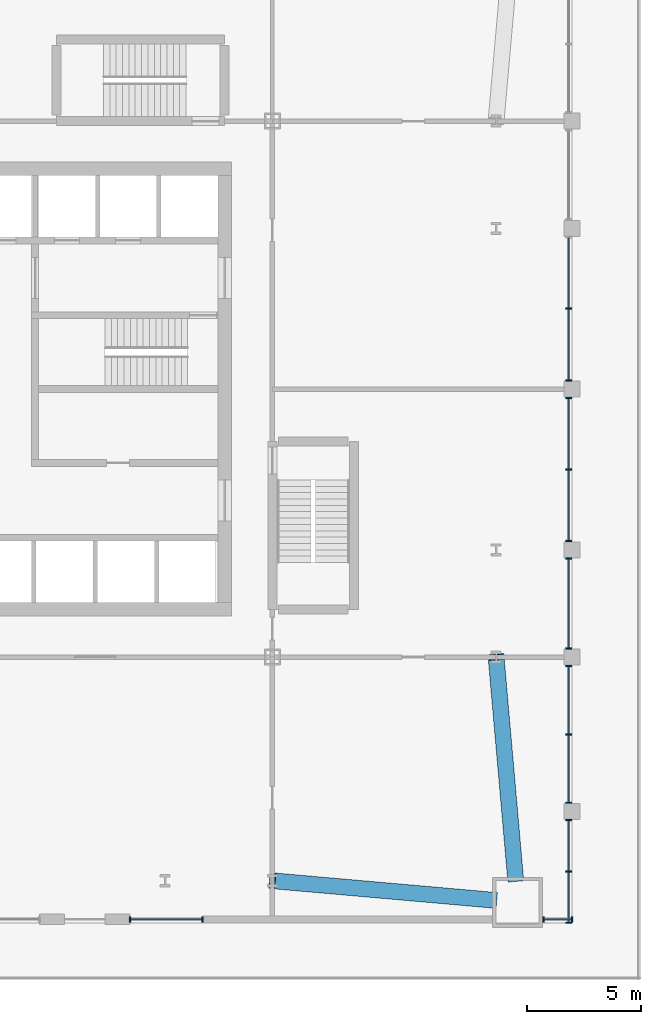
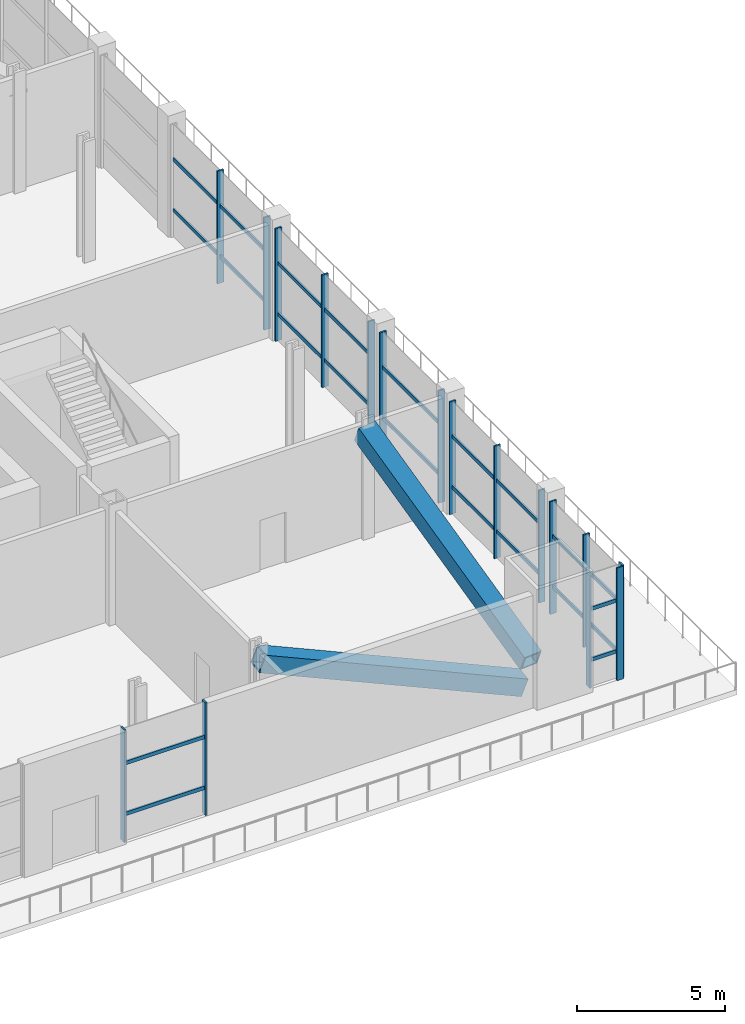
# One storey, part 3 of 12: 41 members, 7 elements without a shape of their own.
"""IFC4 building model written with IfcOpenShell, lengths in metres."""

import ifcopenshell
import ifcopenshell.guid

model = None  # the IFC model being written
_history = None  # IfcOwnerHistory: only IFC2X3 demands one
_inside = {}  # id of a spatial element -> (the spatial element, [elements in it])
_under = {}  # id of a project, library or spatial element -> (it, [spatial elements below it])
_declared = {}  # id of a project -> (the project, [libraries it declares])
_typed = {}  # id of a type object -> (the type object, [elements of that type])
_made_of = {}  # id of a material, layer set ... -> (it, [elements and type objects made of it])


def new_model(schema):
    """Start an empty IFC model of exactly this schema.

    Asked for "IFC4X3", IfcOpenShell would pick the latest addendum, in which some entities
    have other attributes; the version numbers below select the first issue.
    IFC2X3 requires an IfcOwnerHistory on every rooted entity: one is made here for all.
    """
    global model, _history
    if schema == "IFC4X3":
        model = ifcopenshell.file(schema_version=(4, 3, 0, 0))
    else:
        model = ifcopenshell.file(schema=schema)
    _inside.clear()
    _under.clear()
    _declared.clear()
    _typed.clear()
    _made_of.clear()
    _history = None
    if model.schema == "IFC2X3":
        org = make("IfcOrganization", Name="unknown")
        user = make(
            "IfcPersonAndOrganization",
            ThePerson=make("IfcPerson", FamilyName="unknown"),
            TheOrganization=org,
        )
        app = make(
            "IfcApplication",
            ApplicationDeveloper=org,
            Version="unknown",
            ApplicationFullName="unknown",
            ApplicationIdentifier="unknown",
        )
        _history = make(
            "IfcOwnerHistory",
            OwningUser=user,
            OwningApplication=app,
            ChangeAction="ADDED",
            CreationDate=0,
        )
    return model


def make(cls, **values):
    """One entity of the class cls with the attributes given. An attribute that is None is left unset."""
    return model.create_entity(
        cls, **{name: value for name, value in values.items() if value is not None}
    )


def rooted(cls, **values):
    """An entity with a GlobalId (a new one), such as an element, a storey or a relation."""
    return make(cls, GlobalId=ifcopenshell.guid.new(), OwnerHistory=_history, **values)


def si_unit(unit_type, name, prefix=None):
    """IfcSIUnit, for example si_unit("LENGTHUNIT", "METRE", prefix="MILLI")."""
    return make("IfcSIUnit", UnitType=unit_type, Prefix=prefix, Name=name)


def assignment(units):
    """IfcUnitAssignment: the units of a project."""
    return None if units is None else make("IfcUnitAssignment", Units=units)


def point(xyz):
    """IfcCartesianPoint."""
    return None if xyz is None else make("IfcCartesianPoint", Coordinates=xyz)


def direction(xyz):
    """IfcDirection."""
    return None if xyz is None else make("IfcDirection", DirectionRatios=xyz)


def frame(location, z_axis=None, x_axis=None):
    """IfcAxis2Placement3D, a coordinate frame: its origin and axes. An axis left out is left unset."""
    return make(
        "IfcAxis2Placement3D",
        Location=point(location),
        Axis=direction(z_axis),
        RefDirection=direction(x_axis),
    )


def frame_2d(location, x_axis=None):
    """IfcAxis2Placement2D, a coordinate frame in the plane: its origin and x axis."""
    return make(
        "IfcAxis2Placement2D", Location=point(location), RefDirection=direction(x_axis)
    )


def origin():
    """The frame at (0, 0, 0) with its axes left unset."""
    return frame((0.0, 0.0, 0.0))


def origin_2d():
    """The frame at (0, 0) in the plane with its x axis left unset."""
    return frame_2d((0.0, 0.0))


def place(relative_to, where):
    """IfcLocalPlacement: puts the frame where relative to a parent placement (None: the world)."""
    return make(
        "IfcLocalPlacement", PlacementRelTo=relative_to, RelativePlacement=where
    )


def context(
    kind, dimensions, precision=None, world=None, true_north=None, identifier=None
):
    """IfcGeometricRepresentationContext, for example the 3D "Model" context."""
    return make(
        "IfcGeometricRepresentationContext",
        ContextIdentifier=identifier,
        ContextType=kind,
        CoordinateSpaceDimension=dimensions,
        Precision=precision,
        WorldCoordinateSystem=world,
        TrueNorth=true_north,
    )


def subcontext(parent, identifier, kind, view, scale=None):
    """IfcGeometricRepresentationSubContext, for example "Body" below "Model"."""
    return make(
        "IfcGeometricRepresentationSubContext",
        ContextIdentifier=identifier,
        ContextType=kind,
        ParentContext=parent,
        TargetScale=scale,
        TargetView=view,
    )


def project(units=None, contexts=None):
    """IfcProject with its units and contexts."""
    return rooted(
        "IfcProject",
        Name="project",
        RepresentationContexts=contexts,
        UnitsInContext=assignment(units),
    )


def spatial(cls, under=None, at=None, **own):
    """A site, building, storey or space (cls), placed at a placement, below another one or the project."""
    s = rooted(cls, ObjectPlacement=at, **own)
    if under is not None:
        _under.setdefault(under.id(), (under, []))[1].append(s)
    return s


def profile(cls, at=None, kind="AREA", **sizes):
    """A parametric profile (cls). Its sizes go by their IFC names, for example OverallWidth=200.0."""
    return make(cls, ProfileType=kind, Position=at, **sizes)


def rectangle(**sizes):
    """IfcRectangleProfileDef."""
    return profile("IfcRectangleProfileDef", **sizes)


def hollow_rectangle(**sizes):
    """IfcRectangleHollowProfileDef."""
    return profile("IfcRectangleHollowProfileDef", **sizes)


def extrude(swept, where, along, depth):
    """IfcExtrudedAreaSolid: the profile swept, set in the frame where, extruded along a direction by depth."""
    return make(
        "IfcExtrudedAreaSolid",
        SweptArea=swept,
        Position=where,
        ExtrudedDirection=direction(along),
        Depth=depth,
    )


def shape(context_of_items, identifier, shape_type, items):
    """IfcShapeRepresentation: the items that make up one representation, for example the "Body"."""
    return make(
        "IfcShapeRepresentation",
        ContextOfItems=context_of_items,
        RepresentationIdentifier=identifier,
        RepresentationType=shape_type,
        Items=items,
    )


def material(Name=None, Category=None):
    """IfcMaterial."""
    return make("IfcMaterial", Name=Name, Category=Category)


def material_profile(
    of_material, cross_section, Name=None, Category=None, Priority=None
):
    """IfcMaterialProfile: a cross section and its material."""
    return make(
        "IfcMaterialProfile",
        Name=Name,
        Material=of_material,
        Profile=cross_section,
        Priority=Priority,
        Category=Category,
    )


def profile_set(profiles, Name=None, composite=None):
    """IfcMaterialProfileSet."""
    return make(
        "IfcMaterialProfileSet",
        Name=Name,
        MaterialProfiles=profiles,
        CompositeProfile=composite,
    )


def made_of(thing, what):
    """Note that an element or type object is made of a material, layer set ...; save() writes the relation."""
    if what is not None:
        _made_of.setdefault(what.id(), (what, []))[1].append(thing)
    return thing


def type_object(cls, material=None, **own):
    """A type object (cls), such as IfcWallType, which elements share."""
    return made_of(rooted(cls, **own), material)


def element(
    cls,
    number,
    at=None,
    inside=None,
    cuts=None,
    type_object=None,
    material=None,
    context=None,
    identifier="Body",
    shape_type=None,
    held_by="IfcProductDefinitionShape",
    body=None,
    shapes=None,
    **own,
):
    """One element of the class cls, such as IfcWall. Its Tag is "e" and its number.

    at: its placement. inside: the storey or other place that contains it. cuts: it is an
    opening in that element (IfcRelVoidsElement). A single representation is given by context,
    identifier, shape_type and body (its items); several are given by shapes. held_by: the class
    of the entity that holds the representations. save() writes the other relations.
    """
    e = rooted(cls, Tag="e%d" % number, ObjectPlacement=at, **own)
    if body is not None:
        shapes = [shape(context, identifier, shape_type, body)]
    if shapes is not None:
        e.Representation = make(held_by, Representations=shapes)
    if inside is not None:
        _inside.setdefault(inside.id(), (inside, []))[1].append(e)
    if cuts is not None:
        rooted(
            "IfcRelVoidsElement", RelatingBuildingElement=cuts, RelatedOpeningElement=e
        )
    if type_object is not None:
        _typed.setdefault(type_object.id(), (type_object, []))[1].append(e)
    return made_of(e, material)


def aggregate(whole, parts):
    """IfcRelAggregates: a whole, such as a stair, and the parts it consists of."""
    return rooted("IfcRelAggregates", RelatingObject=whole, RelatedObjects=parts)


def save(model, path):
    """Write the relations noted so far, then the file.

    IfcRelAggregates (storeys below a building ...), IfcRelContainedInSpatialStructure (elements
    in a storey), IfcRelDefinesByType, IfcRelAssociatesMaterial and IfcRelDeclares: one each for
    every whole, place, type object, material and project.
    """
    for whole, parts in _under.values():
        aggregate(whole, parts)
    for where, things in _inside.values():
        rooted(
            "IfcRelContainedInSpatialStructure",
            RelatedElements=things,
            RelatingStructure=where,
        )
    for kind, things in _typed.values():
        rooted("IfcRelDefinesByType", RelatedObjects=things, RelatingType=kind)
    for what, things in _made_of.values():
        rooted("IfcRelAssociatesMaterial", RelatedObjects=things, RelatingMaterial=what)
    for by, libraries in _declared.values():
        rooted("IfcRelDeclares", RelatingContext=by, RelatedDefinitions=libraries)
    model.write(path)


model = new_model("IFC4")

# Units and contexts
model_context = context("Model", 3, precision=1e-05, world=origin(), true_north=direction((0.0, 1.0)))
body_context = subcontext(model_context, "Body", "Model", "MODEL_VIEW")
ifc_project = project(units=[si_unit("LENGTHUNIT", "METRE"), si_unit("AREAUNIT", "SQUARE_METRE"), si_unit("VOLUMEUNIT", "CUBIC_METRE"), si_unit("PLANEANGLEUNIT", "RADIAN"), si_unit("MASSUNIT", "GRAM", prefix="KILO")], contexts=[model_context])

# Site, building, storey
site_placement = place(None, origin())
site = spatial("IfcSite", under=ifc_project, at=site_placement, CompositionType="ELEMENT")
building_placement = place(site_placement, origin())
building = spatial("IfcBuilding", under=site, at=building_placement, Name="Turquesa Mirador Hotel Tower", CompositionType="ELEMENT")
storey_placement = place(building_placement, frame((0.0, 0.0, 11.0)))
storey = spatial("IfcBuildingStorey", under=building, at=storey_placement, Name="L02", CompositionType="ELEMENT", Elevation=11.0)

# Curtain wall, members
ifc_material_1 = material(Name="Aluminium extrusion", Category="aluminium")
curtain_wall_type = type_object("IfcCurtainWallType", Name="CW-2 PODIUM CURTAIN WALL", PredefinedType="USERDEFINED", material=ifc_material_1)
curtain_wall_1_placement = place(storey_placement, origin())
curtain_wall_1 = element("IfcCurtainWall", 1, at=curtain_wall_1_placement, inside=storey, type_object=curtain_wall_type, Name="CW-2 PODIUM CURTAIN WALL L02", ObjectType="CURTAIN WALL", PredefinedType="USERDEFINED")
ifc_material_2 = material(Name="Aluminium extrusion", Category="aluminium")
ifc_material_profile_1 = material_profile(ifc_material_2, rectangle(XDim=0.06494140625, YDim=0.25, at=origin_2d()), Name="MULLION 65X250")
ifc_profile_set_1 = profile_set([ifc_material_profile_1], Name="Aluminium extrusion")
member_type_1 = type_object("IfcMemberType", Name="CW MULLION 65X250", PredefinedType="MULLION", material=ifc_profile_set_1)
member_1_placement = place(storey_placement, frame((60.5400390625, 21.64990234375, 0.0), z_axis=(0.0, 0.0, 1.0), x_axis=(1.0, 0.0, 0.0)))
member_1 = element("IfcMember", 2, at=member_1_placement, type_object=member_type_1, Name="Mullion", PredefinedType="MULLION", context=body_context, shape_type="SweptSolid", body=[
    extrude(rectangle(XDim=0.06494140625, YDim=0.25, at=origin_2d()), origin(), (0.0, 0.0, 1.0), 4.64990234375),
])
member_2_placement = place(storey_placement, frame((63.72509765625, 21.64990234375, 0.0), z_axis=(0.0, 0.0, 1.0), x_axis=(1.0, 0.0, 0.0)))
member_2 = element("IfcMember", 3, at=member_2_placement, type_object=member_type_1, Name="Mullion", PredefinedType="MULLION", context=body_context, shape_type="SweptSolid", body=[
    extrude(rectangle(XDim=0.06494140625, YDim=0.25, at=origin_2d()), origin(), (0.0, 0.0, 1.0), 4.64990234375),
])

curtain_wall_2_placement = place(storey_placement, origin())
curtain_wall_2 = element("IfcCurtainWall", 4, at=curtain_wall_2_placement, inside=storey, type_object=curtain_wall_type, Name="CW-2 PODIUM CURTAIN WALL L02", ObjectType="CURTAIN WALL", PredefinedType="USERDEFINED")
member_3_placement = place(storey_placement, frame((78.734619140625, 21.64990234375, 0.0), z_axis=(0.0, 0.0, 1.0), x_axis=(1.0, 0.0, 0.0)))
member_3 = element("IfcMember", 5, at=member_3_placement, type_object=member_type_1, Name="Mullion", PredefinedType="MULLION", context=body_context, shape_type="SweptSolid", body=[
    extrude(rectangle(XDim=0.06494140625, YDim=0.25, at=origin_2d()), origin(), (0.0, 0.0, 1.0), 4.64990234375),
])
member_4_placement = place(storey_placement, frame((80.0, 21.64990234375, 0.0), z_axis=(0.0, 0.0, 1.0), x_axis=(1.0, 0.0, 0.0)))
member_4 = element("IfcMember", 6, at=member_4_placement, type_object=member_type_1, Name="Mullion", PredefinedType="MULLION", context=body_context, shape_type="SweptSolid", body=[
    extrude(rectangle(XDim=0.06494140625, YDim=0.25, at=origin_2d()), origin(), (0.0, 0.0, 1.0), 4.64990234375),
])

curtain_wall_3_placement = place(storey_placement, origin())
curtain_wall_3 = element("IfcCurtainWall", 7, at=curtain_wall_3_placement, inside=storey, type_object=curtain_wall_type, Name="CW-2 PODIUM CURTAIN WALL L02", ObjectType="CURTAIN WALL", PredefinedType="USERDEFINED")
member_5_placement = place(storey_placement, frame((79.85009765625, 21.5, 0.0), z_axis=(0.0, 0.0, 1.0), x_axis=(0.0, 1.0, 0.0)))
member_5 = element("IfcMember", 8, at=member_5_placement, type_object=member_type_1, Name="Mullion", PredefinedType="MULLION", context=body_context, shape_type="SweptSolid", body=[
    extrude(rectangle(XDim=0.06494140625, YDim=0.25, at=origin_2d()), origin(), (0.0, 0.0, 1.0), 4.64990234375),
])
member_6_placement = place(storey_placement, frame((79.85009765625, 23.7578125, 0.0), z_axis=(0.0, 0.0, 1.0), x_axis=(0.0, 1.0, 0.0)))
member_6 = element("IfcMember", 9, at=member_6_placement, type_object=member_type_1, Name="Mullion", PredefinedType="MULLION", context=body_context, shape_type="SweptSolid", body=[
    extrude(rectangle(XDim=0.06494140625, YDim=0.25, at=origin_2d()), origin(), (0.0, 0.0, 1.0), 4.64990234375),
])
member_7_placement = place(storey_placement, frame((79.85009765625, 26.015380859375, 0.0), z_axis=(0.0, 0.0, 1.0), x_axis=(0.0, 1.0, 0.0)))
member_7 = element("IfcMember", 10, at=member_7_placement, type_object=member_type_1, Name="Mullion", PredefinedType="MULLION", context=body_context, shape_type="SweptSolid", body=[
    extrude(rectangle(XDim=0.06494140625, YDim=0.25, at=origin_2d()), origin(), (0.0, 0.0, 1.0), 4.64990234375),
])

curtain_wall_4_placement = place(storey_placement, origin())
curtain_wall_4 = element("IfcCurtainWall", 11, at=curtain_wall_4_placement, inside=storey, type_object=curtain_wall_type, Name="CW-2 PODIUM CURTAIN WALL L02", ObjectType="CURTAIN WALL", PredefinedType="USERDEFINED")
member_8_placement = place(storey_placement, frame((79.85009765625, 26.784423828125, 0.0), z_axis=(0.0, 0.0, 1.0), x_axis=(0.0, 1.0, 0.0)))
member_8 = element("IfcMember", 12, at=member_8_placement, type_object=member_type_1, Name="Mullion", PredefinedType="MULLION", context=body_context, shape_type="SweptSolid", body=[
    extrude(rectangle(XDim=0.06494140625, YDim=0.25, at=origin_2d()), origin(), (0.0, 0.0, 1.0), 4.64990234375),
])
member_9_placement = place(storey_placement, frame((79.85009765625, 29.800048828125, 0.0), z_axis=(0.0, 0.0, 1.0), x_axis=(0.0, 1.0, 0.0)))
member_9 = element("IfcMember", 13, at=member_9_placement, type_object=member_type_1, Name="Mullion", PredefinedType="MULLION", context=body_context, shape_type="SweptSolid", body=[
    extrude(rectangle(XDim=0.06494140625, YDim=0.25, at=origin_2d()), origin(), (0.0, 0.0, 1.0), 4.64990234375),
])
member_10_placement = place(storey_placement, frame((79.85009765625, 32.8154296875, 0.0), z_axis=(0.0, 0.0, 1.0), x_axis=(0.0, 1.0, 0.0)))
member_10 = element("IfcMember", 14, at=member_10_placement, type_object=member_type_1, Name="Mullion", PredefinedType="MULLION", context=body_context, shape_type="SweptSolid", body=[
    extrude(rectangle(XDim=0.06494140625, YDim=0.25, at=origin_2d()), origin(), (0.0, 0.0, 1.0), 4.64990234375),
])

curtain_wall_5_placement = place(storey_placement, origin())
curtain_wall_5 = element("IfcCurtainWall", 15, at=curtain_wall_5_placement, inside=storey, type_object=curtain_wall_type, Name="CW-2 PODIUM CURTAIN WALL L02", ObjectType="CURTAIN WALL", PredefinedType="USERDEFINED")
member_11_placement = place(storey_placement, frame((79.85009765625, 33.58447265625, 0.0), z_axis=(0.0, 0.0, 1.0), x_axis=(0.0, 1.0, 0.0)))
member_11 = element("IfcMember", 16, at=member_11_placement, type_object=member_type_1, Name="Mullion", PredefinedType="MULLION", context=body_context, shape_type="SweptSolid", body=[
    extrude(rectangle(XDim=0.06494140625, YDim=0.25, at=origin_2d()), origin(), (0.0, 0.0, 1.0), 4.64990234375),
])
member_12_placement = place(storey_placement, frame((79.85009765625, 37.535400390625, 0.0), z_axis=(0.0, 0.0, 1.0), x_axis=(0.0, 1.0, 0.0)))
member_12 = element("IfcMember", 17, at=member_12_placement, type_object=member_type_1, Name="Mullion", PredefinedType="MULLION", context=body_context, shape_type="SweptSolid", body=[
    extrude(rectangle(XDim=0.06494140625, YDim=0.25, at=origin_2d()), origin(), (0.0, 0.0, 1.0), 4.64990234375),
])

curtain_wall_6_placement = place(storey_placement, origin())
curtain_wall_6 = element("IfcCurtainWall", 18, at=curtain_wall_6_placement, inside=storey, type_object=curtain_wall_type, Name="CW-2 PODIUM CURTAIN WALL L02", ObjectType="CURTAIN WALL", PredefinedType="USERDEFINED")
member_13_placement = place(storey_placement, frame((79.85009765625, 38.304443359375, 0.0), z_axis=(0.0, 0.0, 1.0), x_axis=(0.0, 1.0, 0.0)))
member_13 = element("IfcMember", 19, at=member_13_placement, type_object=member_type_1, Name="Mullion", PredefinedType="MULLION", context=body_context, shape_type="SweptSolid", body=[
    extrude(rectangle(XDim=0.06494140625, YDim=0.25, at=origin_2d()), origin(), (0.0, 0.0, 1.0), 4.64990234375),
])
member_14_placement = place(storey_placement, frame((79.85009765625, 41.4599609375, 0.0), z_axis=(0.0, 0.0, 1.0), x_axis=(0.0, 1.0, 0.0)))
member_14 = element("IfcMember", 20, at=member_14_placement, type_object=member_type_1, Name="Mullion", PredefinedType="MULLION", context=body_context, shape_type="SweptSolid", body=[
    extrude(rectangle(XDim=0.06494140625, YDim=0.25, at=origin_2d()), origin(), (0.0, 0.0, 1.0), 4.64990234375),
])
member_15_placement = place(storey_placement, frame((79.85009765625, 44.615478515625, 0.0), z_axis=(0.0, 0.0, 1.0), x_axis=(0.0, 1.0, 0.0)))
member_15 = element("IfcMember", 21, at=member_15_placement, type_object=member_type_1, Name="Mullion", PredefinedType="MULLION", context=body_context, shape_type="SweptSolid", body=[
    extrude(rectangle(XDim=0.06494140625, YDim=0.25, at=origin_2d()), origin(), (0.0, 0.0, 1.0), 4.64990234375),
])

curtain_wall_7_placement = place(storey_placement, origin())
curtain_wall_7 = element("IfcCurtainWall", 22, at=curtain_wall_7_placement, inside=storey, type_object=curtain_wall_type, Name="CW-2 PODIUM CURTAIN WALL L02", ObjectType="CURTAIN WALL", PredefinedType="USERDEFINED")
member_16_placement = place(storey_placement, frame((79.85009765625, 45.384521484375, 0.0), z_axis=(0.0, 0.0, 1.0), x_axis=(0.0, 1.0, 0.0)))
member_16 = element("IfcMember", 23, at=member_16_placement, type_object=member_type_1, Name="Mullion", PredefinedType="MULLION", context=body_context, shape_type="SweptSolid", body=[
    extrude(rectangle(XDim=0.06494140625, YDim=0.25, at=origin_2d()), origin(), (0.0, 0.0, 1.0), 4.64990234375),
])
member_17_placement = place(storey_placement, frame((79.85009765625, 48.5400390625, 0.0), z_axis=(0.0, 0.0, 1.0), x_axis=(0.0, 1.0, 0.0)))
member_17 = element("IfcMember", 24, at=member_17_placement, type_object=member_type_1, Name="Mullion", PredefinedType="MULLION", context=body_context, shape_type="SweptSolid", body=[
    extrude(rectangle(XDim=0.06494140625, YDim=0.25, at=origin_2d()), origin(), (0.0, 0.0, 1.0), 4.64990234375),
])

# Member
ifc_material_3 = material(Name="Aluminium extrusion", Category="aluminium")
ifc_material_profile_2 = material_profile(ifc_material_3, rectangle(XDim=0.06494140625, YDim=0.14990234375, at=origin_2d()), Name="TRANSOM 65X150")
ifc_profile_set_2 = profile_set([ifc_material_profile_2], Name="Aluminium extrusion")
member_type_2 = type_object("IfcMemberType", Name="CW TRANSOM 65X150", PredefinedType="USERDEFINED", material=ifc_profile_set_2)
member_18_placement = place(storey_placement, frame((60.572509765625, 21.64990234375, 1.10009765625), z_axis=(1.0, 0.0, 0.0), x_axis=(0.0, 1.0, 0.0)))
member_18 = element("IfcMember", 25, at=member_18_placement, type_object=member_type_2, Name="Transom", ObjectType="TRANSOM", PredefinedType="USERDEFINED", context=body_context, shape_type="SweptSolid", body=[
    extrude(rectangle(XDim=0.06494140625, YDim=0.14990234375, at=origin_2d()), origin(), (0.0, 0.0, 1.0), 3.1201171875),
])

member_19_placement = place(storey_placement, frame((60.572509765625, 21.64990234375, 3.199951171875), z_axis=(1.0, 0.0, 0.0), x_axis=(0.0, 1.0, 0.0)))
member_19 = element("IfcMember", 26, at=member_19_placement, type_object=member_type_2, Name="Transom", ObjectType="TRANSOM", PredefinedType="USERDEFINED", context=body_context, shape_type="SweptSolid", body=[
    extrude(rectangle(XDim=0.06494140625, YDim=0.14990234375, at=origin_2d()), origin(), (0.0, 0.0, 1.0), 3.1201171875),
])

aggregate(curtain_wall_1, [member_1, member_2, member_18, member_19])

member_20_placement = place(storey_placement, frame((78.76708984375, 21.64990234375, 1.10009765625), z_axis=(1.0, 0.0, 0.0), x_axis=(0.0, 1.0, 0.0)))
member_20 = element("IfcMember", 27, at=member_20_placement, type_object=member_type_2, Name="Transom", ObjectType="TRANSOM", PredefinedType="USERDEFINED", context=body_context, shape_type="SweptSolid", body=[
    extrude(rectangle(XDim=0.06494140625, YDim=0.14990234375, at=origin_2d()), origin(), (0.0, 0.0, 1.0), 1.200439453125),
])

member_21_placement = place(storey_placement, frame((78.76708984375, 21.64990234375, 3.199951171875), z_axis=(1.0, 0.0, 0.0), x_axis=(0.0, 1.0, 0.0)))
member_21 = element("IfcMember", 28, at=member_21_placement, type_object=member_type_2, Name="Transom", ObjectType="TRANSOM", PredefinedType="USERDEFINED", context=body_context, shape_type="SweptSolid", body=[
    extrude(rectangle(XDim=0.06494140625, YDim=0.14990234375, at=origin_2d()), origin(), (0.0, 0.0, 1.0), 1.200439453125),
])

aggregate(curtain_wall_2, [member_3, member_4, member_20, member_21])

member_22_placement = place(storey_placement, frame((79.85009765625, 21.532470703125, 1.10009765625), z_axis=(0.0, 1.0, 0.0), x_axis=(-1.0, 0.0, 0.0)))
member_22 = element("IfcMember", 29, at=member_22_placement, type_object=member_type_2, Name="Transom", ObjectType="TRANSOM", PredefinedType="USERDEFINED", context=body_context, shape_type="SweptSolid", body=[
    extrude(rectangle(XDim=0.06494140625, YDim=0.14990234375, at=origin_2d()), origin(), (0.0, 0.0, 1.0), 2.19287109375),
])

member_23_placement = place(storey_placement, frame((79.85009765625, 21.532470703125, 3.199951171875), z_axis=(0.0, 1.0, 0.0), x_axis=(-1.0, 0.0, 0.0)))
member_23 = element("IfcMember", 30, at=member_23_placement, type_object=member_type_2, Name="Transom", ObjectType="TRANSOM", PredefinedType="USERDEFINED", context=body_context, shape_type="SweptSolid", body=[
    extrude(rectangle(XDim=0.06494140625, YDim=0.14990234375, at=origin_2d()), origin(), (0.0, 0.0, 1.0), 2.19287109375),
])

member_24_placement = place(storey_placement, frame((79.85009765625, 23.790283203125, 1.10009765625), z_axis=(0.0, 1.0, 0.0), x_axis=(-1.0, 0.0, 0.0)))
member_24 = element("IfcMember", 31, at=member_24_placement, type_object=member_type_2, Name="Transom", ObjectType="TRANSOM", PredefinedType="USERDEFINED", context=body_context, shape_type="SweptSolid", body=[
    extrude(rectangle(XDim=0.06494140625, YDim=0.14990234375, at=origin_2d()), origin(), (0.0, 0.0, 1.0), 2.192626953125),
])

member_25_placement = place(storey_placement, frame((79.85009765625, 23.790283203125, 3.199951171875), z_axis=(0.0, 1.0, 0.0), x_axis=(-1.0, 0.0, 0.0)))
member_25 = element("IfcMember", 32, at=member_25_placement, type_object=member_type_2, Name="Transom", ObjectType="TRANSOM", PredefinedType="USERDEFINED", context=body_context, shape_type="SweptSolid", body=[
    extrude(rectangle(XDim=0.06494140625, YDim=0.14990234375, at=origin_2d()), origin(), (0.0, 0.0, 1.0), 2.192626953125),
])

aggregate(curtain_wall_3, [member_5, member_6, member_7, member_22, member_23, member_24, member_25])

member_26_placement = place(storey_placement, frame((79.85009765625, 26.81689453125, 1.10009765625), z_axis=(0.0, 1.0, 0.0), x_axis=(-1.0, 0.0, 0.0)))
member_26 = element("IfcMember", 33, at=member_26_placement, type_object=member_type_2, Name="Transom", ObjectType="TRANSOM", PredefinedType="USERDEFINED", context=body_context, shape_type="SweptSolid", body=[
    extrude(rectangle(XDim=0.06494140625, YDim=0.14990234375, at=origin_2d()), origin(), (0.0, 0.0, 1.0), 2.95068359375),
])

member_27_placement = place(storey_placement, frame((79.85009765625, 26.81689453125, 3.199951171875), z_axis=(0.0, 1.0, 0.0), x_axis=(-1.0, 0.0, 0.0)))
member_27 = element("IfcMember", 34, at=member_27_placement, type_object=member_type_2, Name="Transom", ObjectType="TRANSOM", PredefinedType="USERDEFINED", context=body_context, shape_type="SweptSolid", body=[
    extrude(rectangle(XDim=0.06494140625, YDim=0.14990234375, at=origin_2d()), origin(), (0.0, 0.0, 1.0), 2.95068359375),
])

member_28_placement = place(storey_placement, frame((79.85009765625, 29.83251953125, 1.10009765625), z_axis=(0.0, 1.0, 0.0), x_axis=(-1.0, 0.0, 0.0)))
member_28 = element("IfcMember", 35, at=member_28_placement, type_object=member_type_2, Name="Transom", ObjectType="TRANSOM", PredefinedType="USERDEFINED", context=body_context, shape_type="SweptSolid", body=[
    extrude(rectangle(XDim=0.06494140625, YDim=0.14990234375, at=origin_2d()), origin(), (0.0, 0.0, 1.0), 2.950439453125),
])

member_29_placement = place(storey_placement, frame((79.85009765625, 29.83251953125, 3.199951171875), z_axis=(0.0, 1.0, 0.0), x_axis=(-1.0, 0.0, 0.0)))
member_29 = element("IfcMember", 36, at=member_29_placement, type_object=member_type_2, Name="Transom", ObjectType="TRANSOM", PredefinedType="USERDEFINED", context=body_context, shape_type="SweptSolid", body=[
    extrude(rectangle(XDim=0.06494140625, YDim=0.14990234375, at=origin_2d()), origin(), (0.0, 0.0, 1.0), 2.950439453125),
])

aggregate(curtain_wall_4, [member_8, member_9, member_10, member_26, member_27, member_28, member_29])

member_30_placement = place(storey_placement, frame((79.85009765625, 33.616943359375, 1.10009765625), z_axis=(0.0, 1.0, 0.0), x_axis=(-1.0, 0.0, 0.0)))
member_30 = element("IfcMember", 37, at=member_30_placement, type_object=member_type_2, Name="Transom", ObjectType="TRANSOM", PredefinedType="USERDEFINED", context=body_context, shape_type="SweptSolid", body=[
    extrude(rectangle(XDim=0.06494140625, YDim=0.14990234375, at=origin_2d()), origin(), (0.0, 0.0, 1.0), 3.885986328125),
])

member_31_placement = place(storey_placement, frame((79.85009765625, 33.616943359375, 3.199951171875), z_axis=(0.0, 1.0, 0.0), x_axis=(-1.0, 0.0, 0.0)))
member_31 = element("IfcMember", 38, at=member_31_placement, type_object=member_type_2, Name="Transom", ObjectType="TRANSOM", PredefinedType="USERDEFINED", context=body_context, shape_type="SweptSolid", body=[
    extrude(rectangle(XDim=0.06494140625, YDim=0.14990234375, at=origin_2d()), origin(), (0.0, 0.0, 1.0), 3.885986328125),
])

aggregate(curtain_wall_5, [member_11, member_12, member_30, member_31])

member_32_placement = place(storey_placement, frame((79.85009765625, 38.3369140625, 1.10009765625), z_axis=(0.0, 1.0, 0.0), x_axis=(-1.0, 0.0, 0.0)))
member_32 = element("IfcMember", 39, at=member_32_placement, type_object=member_type_2, Name="Transom", ObjectType="TRANSOM", PredefinedType="USERDEFINED", context=body_context, shape_type="SweptSolid", body=[
    extrude(rectangle(XDim=0.06494140625, YDim=0.14990234375, at=origin_2d()), origin(), (0.0, 0.0, 1.0), 3.090576171875),
])

member_33_placement = place(storey_placement, frame((79.85009765625, 38.3369140625, 3.199951171875), z_axis=(0.0, 1.0, 0.0), x_axis=(-1.0, 0.0, 0.0)))
member_33 = element("IfcMember", 40, at=member_33_placement, type_object=member_type_2, Name="Transom", ObjectType="TRANSOM", PredefinedType="USERDEFINED", context=body_context, shape_type="SweptSolid", body=[
    extrude(rectangle(XDim=0.06494140625, YDim=0.14990234375, at=origin_2d()), origin(), (0.0, 0.0, 1.0), 3.090576171875),
])

member_34_placement = place(storey_placement, frame((79.85009765625, 41.492431640625, 1.10009765625), z_axis=(0.0, 1.0, 0.0), x_axis=(-1.0, 0.0, 0.0)))
member_34 = element("IfcMember", 41, at=member_34_placement, type_object=member_type_2, Name="Transom", ObjectType="TRANSOM", PredefinedType="USERDEFINED", context=body_context, shape_type="SweptSolid", body=[
    extrude(rectangle(XDim=0.06494140625, YDim=0.14990234375, at=origin_2d()), origin(), (0.0, 0.0, 1.0), 3.090576171875),
])

member_35_placement = place(storey_placement, frame((79.85009765625, 41.492431640625, 3.199951171875), z_axis=(0.0, 1.0, 0.0), x_axis=(-1.0, 0.0, 0.0)))
member_35 = element("IfcMember", 42, at=member_35_placement, type_object=member_type_2, Name="Transom", ObjectType="TRANSOM", PredefinedType="USERDEFINED", context=body_context, shape_type="SweptSolid", body=[
    extrude(rectangle(XDim=0.06494140625, YDim=0.14990234375, at=origin_2d()), origin(), (0.0, 0.0, 1.0), 3.090576171875),
])

aggregate(curtain_wall_6, [member_13, member_14, member_15, member_32, member_33, member_34, member_35])

member_36_placement = place(storey_placement, frame((79.85009765625, 45.4169921875, 1.10009765625), z_axis=(0.0, 1.0, 0.0), x_axis=(-1.0, 0.0, 0.0)))
member_36 = element("IfcMember", 43, at=member_36_placement, type_object=member_type_2, Name="Transom", ObjectType="TRANSOM", PredefinedType="USERDEFINED", context=body_context, shape_type="SweptSolid", body=[
    extrude(rectangle(XDim=0.06494140625, YDim=0.14990234375, at=origin_2d()), origin(), (0.0, 0.0, 1.0), 3.090576171875),
])

member_37_placement = place(storey_placement, frame((79.85009765625, 45.4169921875, 3.199951171875), z_axis=(0.0, 1.0, 0.0), x_axis=(-1.0, 0.0, 0.0)))
member_37 = element("IfcMember", 44, at=member_37_placement, type_object=member_type_2, Name="Transom", ObjectType="TRANSOM", PredefinedType="USERDEFINED", context=body_context, shape_type="SweptSolid", body=[
    extrude(rectangle(XDim=0.06494140625, YDim=0.14990234375, at=origin_2d()), origin(), (0.0, 0.0, 1.0), 3.090576171875),
])

member_38_placement = place(storey_placement, frame((79.85009765625, 48.572509765625, 1.10009765625), z_axis=(0.0, 1.0, 0.0), x_axis=(-1.0, 0.0, 0.0)))
member_38 = element("IfcMember", 45, at=member_38_placement, type_object=member_type_2, Name="Transom", ObjectType="TRANSOM", PredefinedType="USERDEFINED", context=body_context, shape_type="SweptSolid", body=[
    extrude(rectangle(XDim=0.06494140625, YDim=0.14990234375, at=origin_2d()), origin(), (0.0, 0.0, 1.0), 3.090576171875),
])

member_39_placement = place(storey_placement, frame((79.85009765625, 48.572509765625, 3.199951171875), z_axis=(0.0, 1.0, 0.0), x_axis=(-1.0, 0.0, 0.0)))
member_39 = element("IfcMember", 46, at=member_39_placement, type_object=member_type_2, Name="Transom", ObjectType="TRANSOM", PredefinedType="USERDEFINED", context=body_context, shape_type="SweptSolid", body=[
    extrude(rectangle(XDim=0.06494140625, YDim=0.14990234375, at=origin_2d()), origin(), (0.0, 0.0, 1.0), 3.090576171875),
])

aggregate(curtain_wall_7, [member_16, member_17, member_36, member_37, member_38, member_39])

# Members
ifc_material_4 = material(Name="Steel ASTM A572 Grade 50", Category="steel")
ifc_material_profile_3 = material_profile(ifc_material_4, hollow_rectangle(XDim=0.699951171875, YDim=0.699951171875, WallThickness=0.06005859375, at=origin_2d()), Name="BOX700X700X60")
ifc_profile_set_3 = profile_set([ifc_material_profile_3], Name="Steel ASTM A572 Grade 50")
member_type_3 = type_object("IfcMemberType", Name="PODIUM BRACE BOX700X700X60", PredefinedType="BRACE", material=ifc_profile_set_3)
for number, where, z_axis, x_axis, name in (
    (47, (76.550048828125, 22.492431640625, 0.41796875), (-0.925977133231, 0.081454268556, 0.368688962227), (-0.087627369437, -0.996153323603, 0.0), "Podium brace S"),
    (48, (77.507568359375, 23.449951171875, 0.41796875), (-0.081454268556, 0.925977133231, 0.368688962227), (-0.996153323603, -0.087627369437, 0.0), "Podium brace E"),
):
    element("IfcMember", number, at=place(storey_placement, frame(where, z_axis=z_axis, x_axis=x_axis)), inside=storey, type_object=member_type_3, Name=name, PredefinedType="BRACE", context=body_context, shape_type="SweptSolid", body=[
        extrude(hollow_rectangle(XDim=0.699951171875, YDim=0.699951171875, WallThickness=0.06005859375, at=origin_2d()), origin(), (0.0, 0.0, 1.0), 10.529296875),
    ])

save(model, "model.ifc")
